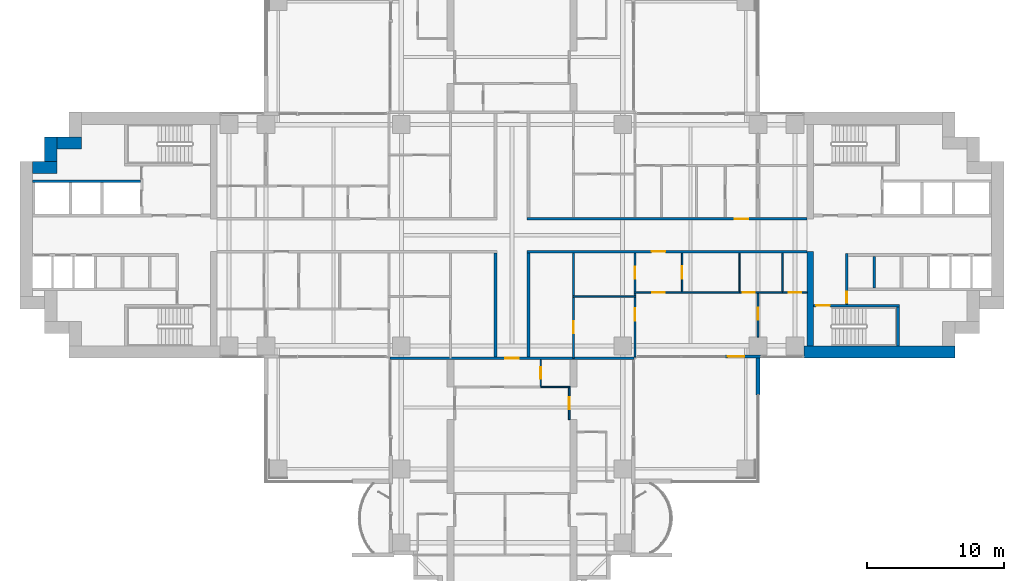
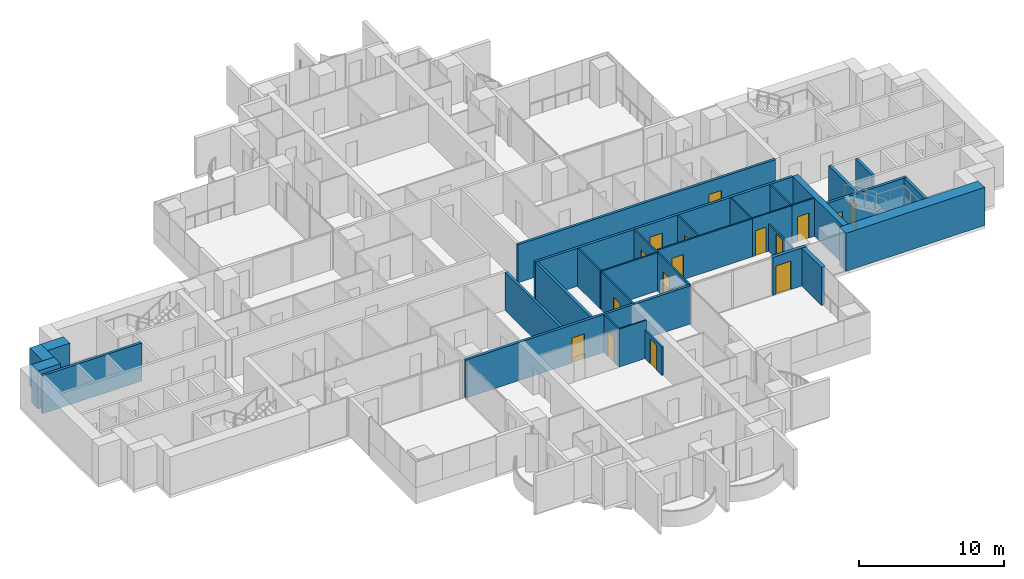
# One storey, part 12 of 21: 30 walls, 16 doors, 16 openings.
"""IFC4 building model written with IfcOpenShell, lengths in metres."""

from ifc_helpers import new_model, si_unit, direction, frame, frame_2d, origin, place, context, subcontext, project, spatial, rectangle, extrude, material, layer, layer_set, type_object, element, fill, save


model = new_model("IFC4")

# Units and contexts
model_context = context("Model", 3, precision=1e-05, world=origin(), true_north=direction((0.0, 1.0)))
body_context = subcontext(model_context, "Body", "Model", "MODEL_VIEW")
ifc_project = project(units=[si_unit("LENGTHUNIT", "METRE"), si_unit("AREAUNIT", "SQUARE_METRE"), si_unit("VOLUMEUNIT", "CUBIC_METRE"), si_unit("PLANEANGLEUNIT", "RADIAN"), si_unit("MASSUNIT", "GRAM", prefix="KILO")], contexts=[model_context])

# Site, building, storey
site_placement = place(None, origin())
site = spatial("IfcSite", under=ifc_project, at=site_placement, CompositionType="ELEMENT")
building_placement = place(site_placement, origin())
building = spatial("IfcBuilding", under=site, at=building_placement, Name="Perihelion Cross Residences", CompositionType="ELEMENT")
storey_placement = place(building_placement, frame((0.0, 0.0, 89.0)))
storey = spatial("IfcBuildingStorey", under=building, at=storey_placement, Name="L20", CompositionType="ELEMENT", Elevation=89.0)

# Wall, opening, door
ifc_material_1 = material(Name="Plasterboard partition")
ifc_layer_1 = layer(ifc_material_1, 0.199951171875)
ifc_layer_set_1 = layer_set([ifc_layer_1], Name="Apartment separation wall 200")
wall_type_1 = type_object("IfcWallType", Name="Apartment separation wall 200", PredefinedType="PARTITIONING", material=ifc_layer_set_1)
wall_1_placement = place(storey_placement, frame((1.10009765625, 1.199951171875, 0.0), z_axis=(0.0, 0.0, 1.0), x_axis=(1.0, 0.0, 0.0)))
wall_1 = element("IfcWall", 1, at=wall_1_placement, inside=storey, type_object=wall_type_1, Name="Partition L20 W001", PredefinedType="PARTITIONING", context=body_context, shape_type="SweptSolid", body=[
    extrude(rectangle(XDim=20.5, YDim=0.199951171875, at=frame_2d((10.25, 0.0))), origin(), (0.0, 0.0, 1.0), 3.199951171875),
])
opening_1_placement = place(wall_1_placement, frame((15.199951171875, 0.0, 0.0)))
opening_1 = element("IfcOpeningElement", 2, at=opening_1_placement, cuts=wall_1, Name="Opening L20.A53", PredefinedType="OPENING", context=body_context, shape_type="SweptSolid", body=[
    extrude(rectangle(XDim=1.0, YDim=2.10009765625, at=frame_2d((0.5, 1.050048828125))), frame((0.0, 0.10986328125, 0.0), z_axis=(0.0, -1.0, 0.0), x_axis=(1.0, 0.0, 0.0)), (0.0, 0.0, 1.0), 0.219970703125),
])
ifc_material_2 = material(Name="Timber door leaf", Category="wood")
door_type_1 = type_object("IfcDoorType", Name="Flat entrance door 1000 x 2100", OperationType="SINGLE_SWING_LEFT", PredefinedType="DOOR", material=ifc_material_2)
door_1_placement = place(opening_1_placement, origin())
door_1 = element("IfcDoor", 3, at=door_1_placement, inside=storey, type_object=door_type_1, Name="Door L20.A53", OperationType="SINGLE_SWING_LEFT", OverallHeight=2.10009765625, OverallWidth=1.0, PredefinedType="DOOR", context=body_context, shape_type="SweptSolid", body=[
    extrude(rectangle(XDim=1.0, YDim=2.10009765625, at=frame_2d((0.5, 1.050048828125))), frame((0.0, 0.02490234375, 0.0), z_axis=(0.0, -1.0, 0.0), x_axis=(1.0, 0.0, 0.0)), (0.0, 0.0, 1.0), 0.050048828125),
])
fill(opening_1, door_1)

wall_2_placement = place(storey_placement, frame((21.60009765625, -1.199951171875, 0.0), z_axis=(0.0, 0.0, 1.0), x_axis=(-1.0, 0.0, 0.0)))
wall_2 = element("IfcWall", 4, at=wall_2_placement, inside=storey, type_object=wall_type_1, Name="Partition L20 W003", PredefinedType="PARTITIONING", context=body_context, shape_type="SweptSolid", body=[
    extrude(rectangle(XDim=20.5, YDim=0.199951171875, at=frame_2d((10.25, 0.0))), origin(), (0.0, 0.0, 1.0), 3.199951171875),
])
opening_2_placement = place(wall_2_placement, frame((10.375, 0.0, 0.0)))
opening_2 = element("IfcOpeningElement", 5, at=opening_2_placement, cuts=wall_2, Name="Opening L20.A54", PredefinedType="OPENING", context=body_context, shape_type="SweptSolid", body=[
    extrude(rectangle(XDim=1.0, YDim=2.10009765625, at=frame_2d((0.5, 1.050048828125))), frame((0.0, 0.10986328125, 0.0), z_axis=(0.0, -1.0, 0.0), x_axis=(1.0, 0.0, 0.0)), (0.0, 0.0, 1.0), 0.219970703125),
])
door_2_placement = place(opening_2_placement, origin())
door_2 = element("IfcDoor", 6, at=door_2_placement, inside=storey, type_object=door_type_1, Name="Door L20.A54", OperationType="SINGLE_SWING_RIGHT", OverallHeight=2.10009765625, OverallWidth=1.0, PredefinedType="DOOR", context=body_context, shape_type="SweptSolid", body=[
    extrude(rectangle(XDim=1.0, YDim=2.10009765625, at=frame_2d((0.5, 1.050048828125))), frame((0.0, 0.02490234375, 0.0), z_axis=(0.0, -1.0, 0.0), x_axis=(1.0, 0.0, 0.0)), (0.0, 0.0, 1.0), 0.050048828125),
])
fill(opening_2, door_2)

# Walls
for number, where, z_axis, x_axis, name in (
    (7, (1.199951171875, -1.300048828125, 0.0), (0.0, 0.0, 1.0), (0.0, -1.0, 0.0), "Partition L20 W004"),
    (8, (-1.199951171875, -8.89990234375, 0.0), (0.0, 0.0, 1.0), (0.0, 1.0, 0.0), "Partition L20 W008"),
):
    element("IfcWall", number, at=place(storey_placement, frame(where, z_axis=z_axis, x_axis=x_axis)), inside=storey, type_object=wall_type_1, Name=name, PredefinedType="PARTITIONING", context=body_context, shape_type="SweptSolid", body=[
        extrude(rectangle(XDim=7.599853515625, YDim=0.199951171875, at=frame_2d((3.7998046875, 0.0))), origin(), (0.0, 0.0, 1.0), 3.199951171875),
    ])

# Wall, opening, door
wall_3_placement = place(storey_placement, frame((8.919921875, -9.0, 0.0), z_axis=(0.0, 0.0, 1.0), x_axis=(-1.0, 0.0, 0.0)))
wall_3 = element("IfcWall", 9, at=wall_3_placement, inside=storey, type_object=wall_type_1, Name="Partition L20 W010", PredefinedType="PARTITIONING", context=body_context, shape_type="SweptSolid", body=[
    extrude(rectangle(XDim=17.83984375, YDim=0.199951171875, at=frame_2d((8.919921875, 0.0))), origin(), (0.0, 0.0, 1.0), 3.199951171875),
])
opening_3_placement = place(wall_3_placement, frame((8.419921875, 0.0, 0.0)))
opening_3 = element("IfcOpeningElement", 10, at=opening_3_placement, cuts=wall_3, Name="Opening L20.A44", PredefinedType="OPENING", context=body_context, shape_type="SweptSolid", body=[
    extrude(rectangle(XDim=1.0, YDim=2.10009765625, at=frame_2d((0.5, 1.050048828125))), frame((0.0, 0.10986328125, 0.0), z_axis=(0.0, -1.0, 0.0), x_axis=(1.0, 0.0, 0.0)), (0.0, 0.0, 1.0), 0.219970703125),
])
door_3_placement = place(opening_3_placement, origin())
door_3 = element("IfcDoor", 11, at=door_3_placement, inside=storey, type_object=door_type_1, Name="Door L20.A44", OperationType="SINGLE_SWING_RIGHT", OverallHeight=2.10009765625, OverallWidth=1.0, PredefinedType="DOOR", context=body_context, shape_type="SweptSolid", body=[
    extrude(rectangle(XDim=1.0, YDim=2.10009765625, at=frame_2d((0.5, 1.050048828125))), frame((0.0, 0.02490234375, 0.0), z_axis=(0.0, -1.0, 0.0), x_axis=(1.0, 0.0, 0.0)), (0.0, 0.0, 1.0), 0.050048828125),
])
fill(opening_3, door_3)

ifc_material_3 = material(Name="Concrete C30/37, bronze-clad", Category="concrete")
ifc_layer_2 = layer(ifc_material_3, 0.25)
ifc_layer_set_2 = layer_set([ifc_layer_2], Name="Bronze-clad pier wall 250")
wall_type_2 = type_object("IfcWallType", Name="Bronze-clad pier wall 250", PredefinedType="SOLIDWALL", material=ifc_layer_set_2)
wall_4_placement = place(storey_placement, frame((15.550048828125, -8.875, 0.0), z_axis=(0.0, 0.0, 1.0), x_axis=(1.0, 0.0, 0.0)))
wall_4 = element("IfcWall", 12, at=wall_4_placement, inside=storey, type_object=wall_type_2, Name="Wall FW1 L20 east side south bay 1 pier", PredefinedType="SOLIDWALL", context=body_context, shape_type="SweptSolid", body=[
    extrude(rectangle(XDim=2.64990234375, YDim=0.25, at=frame_2d((1.324951171875, 0.0))), origin(), (0.0, 0.0, 1.0), 3.199951171875),
])
opening_4_placement = place(wall_4_placement, frame((0.25, 0.0, 0.0)))
opening_4 = element("IfcOpeningElement", 13, at=opening_4_placement, cuts=wall_4, Name="Opening L20.E16", PredefinedType="OPENING", context=body_context, shape_type="SweptSolid", body=[
    extrude(rectangle(XDim=1.199951171875, YDim=2.39990234375, at=frame_2d((0.60009765625, 1.199951171875))), frame((0.0, 0.135009765625, 0.0), z_axis=(0.0, -1.0, 0.0), x_axis=(1.0, 0.0, 0.0)), (0.0, 0.0, 1.0), 0.27001953125),
])
ifc_material_4 = material(Name="Bronze anodised aluminium, glazed", Category="aluminium")
door_type_2 = type_object("IfcDoorType", Name="Balcony door 1200 x 2400", OperationType="NOTDEFINED", PredefinedType="DOOR", material=ifc_material_4)
door_4_placement = place(opening_4_placement, origin())
door_4 = element("IfcDoor", 14, at=door_4_placement, inside=storey, type_object=door_type_2, Name="Door L20.E16 east side south bay 1", OperationType="SINGLE_SWING_LEFT", OverallHeight=2.39990234375, OverallWidth=1.199951171875, PredefinedType="DOOR", context=body_context, shape_type="SweptSolid", body=[
    extrude(rectangle(XDim=1.199951171875, YDim=2.39990234375, at=frame_2d((0.60009765625, 1.199951171875))), frame((0.0, 0.02490234375, 0.0), z_axis=(0.0, -1.0, 0.0), x_axis=(1.0, 0.0, 0.0)), (0.0, 0.0, 1.0), 0.050048828125),
])
fill(opening_4, door_4)

# Walls
ifc_material_5 = material(Name="Concrete C60/75", Category="concrete")
ifc_layer_3 = layer(ifc_material_5, 0.449951171875)
ifc_layer_set_3 = layer_set([ifc_layer_3], Name="Core wall, inner 450")
wall_type_3 = type_object("IfcWallType", Name="Core wall, inner 450", PredefinedType="SHEAR", material=ifc_layer_set_3)
wall_5_placement = place(storey_placement, frame((21.824951171875, -8.10009765625, 0.0), z_axis=(0.0, 0.0, 1.0), x_axis=(0.0, 1.0, 0.0)))
element("IfcWall", 15, at=wall_5_placement, inside=storey, type_object=wall_type_3, Name="East core core wall, inner", PredefinedType="SHEAR", context=body_context, shape_type="SweptSolid", body=[
    extrude(rectangle(XDim=6.900146484375, YDim=0.449951171875, at=frame_2d((3.4501953125, 0.0))), origin(), (0.0, 0.0, 1.0), 3.199951171875),
])
ifc_material_6 = material(Name="Concrete C60/75", Category="concrete")
ifc_layer_4 = layer(ifc_material_6, 0.89990234375)
ifc_layer_set_4 = layer_set([ifc_layer_4], Name="Core wall, outer 900")
wall_type_4 = type_object("IfcWallType", Name="Core wall, outer 900", PredefinedType="SHEAR", material=ifc_layer_set_4)
wall_6_placement = place(storey_placement, frame((21.35009765625, -8.550048828125, 0.0), z_axis=(0.0, 0.0, 1.0), x_axis=(1.0, 0.0, 0.0)))
element("IfcWall", 16, at=wall_6_placement, inside=storey, type_object=wall_type_4, Name="East core core wall, outer", PredefinedType="SHEAR", context=body_context, shape_type="SweptSolid", body=[
    extrude(rectangle(XDim=11.0498046875, YDim=0.89990234375, at=frame_2d((5.52490234375, 0.0))), origin(), (0.0, 0.0, 1.0), 3.199951171875),
])
for number, where, z_axis, x_axis, name in (
    (17, (-35.10009765625, 4.949951171875, 0.0), (0.0, 0.0, 1.0), (1.0, 0.0, 0.0), "West core core wall, outer"),
    (18, (-33.75, 5.39990234375, 0.0), (0.0, 0.0, 1.0), (0.0, 1.0, 0.0), "West core core wall, outer"),
    (19, (-33.300048828125, 6.75, 0.0), (0.0, 0.0, 1.0), (1.0, 0.0, 0.0), "West core core wall, outer"),
):
    element("IfcWall", number, at=place(storey_placement, frame(where, z_axis=z_axis, x_axis=x_axis)), inside=storey, type_object=wall_type_4, Name=name, PredefinedType="SHEAR", context=body_context, shape_type="SweptSolid", body=[
        extrude(rectangle(XDim=1.800048828125, YDim=0.89990234375, at=frame_2d((0.89990234375, 0.0))), origin(), (0.0, 0.0, 1.0), 3.199951171875),
    ])

# Wall, opening, door
ifc_material_7 = material(Name="Plasterboard partition")
ifc_layer_5 = layer(ifc_material_7, 0.1201171875)
ifc_layer_set_5 = layer_set([ifc_layer_5], Name="Infill panel 120")
wall_type_5 = type_object("IfcWallType", Name="Infill panel 120", PredefinedType="PARTITIONING", material=ifc_layer_set_5)
wall_7_placement = place(storey_placement, frame((4.18994140625, -11.10009765625, 0.0), z_axis=(0.0, 0.0, 1.0), x_axis=(0.0, -1.0, 0.0)))
wall_7 = element("IfcWall", 20, at=wall_7_placement, inside=storey, type_object=wall_type_5, Name="Partition L20 WI05", PredefinedType="PARTITIONING", context=body_context, shape_type="SweptSolid", body=[
    extrude(rectangle(XDim=2.39990234375, YDim=0.1201171875, at=frame_2d((1.199951171875, 0.0))), origin(), (0.0, 0.0, 1.0), 2.39990234375),
])
opening_5_placement = place(wall_7_placement, frame((0.75, 0.0, 0.0)))
opening_5 = element("IfcOpeningElement", 21, at=opening_5_placement, cuts=wall_7, Name="Opening L20.A61", PredefinedType="OPENING", context=body_context, shape_type="SweptSolid", body=[
    extrude(rectangle(XDim=0.89990234375, YDim=2.10009765625, at=frame_2d((0.449951171875, 1.050048828125))), frame((0.0, 0.070068359375, 0.0), z_axis=(0.0, -1.0, 0.0), x_axis=(1.0, 0.0, 0.0)), (0.0, 0.0, 1.0), 0.14013671875),
])
ifc_material_8 = material(Name="Timber door leaf", Category="wood")
door_type_3 = type_object("IfcDoorType", Name="Interior room door 900 x 2100", OperationType="SINGLE_SWING_LEFT", PredefinedType="DOOR", material=ifc_material_8)
door_5_placement = place(opening_5_placement, origin())
door_5 = element("IfcDoor", 22, at=door_5_placement, inside=storey, type_object=door_type_3, Name="Door L20.A61", OperationType="SINGLE_SWING_RIGHT", OverallHeight=2.10009765625, OverallWidth=0.89990234375, PredefinedType="DOOR", context=body_context, shape_type="SweptSolid", body=[
    extrude(rectangle(XDim=0.89990234375, YDim=2.10009765625, at=frame_2d((0.449951171875, 1.050048828125))), frame((0.0, 0.02490234375, 0.0), z_axis=(0.0, -1.0, 0.0), x_axis=(1.0, 0.0, 0.0)), (0.0, 0.0, 1.0), 0.050048828125),
])
fill(opening_5, door_5)

ifc_material_9 = material(Name="Concrete C50/60", Category="concrete")
ifc_layer_6 = layer(ifc_material_9, 0.199951171875)
ifc_layer_set_6 = layer_set([ifc_layer_6], Name="Lobby wall 200")
wall_type_6 = type_object("IfcWallType", Name="Lobby wall 200", PredefinedType="SOLIDWALL", material=ifc_layer_set_6)
wall_8_placement = place(storey_placement, frame((24.5, -5.050048828125, 0.0), z_axis=(0.0, 0.0, 1.0), x_axis=(0.0, 1.0, 0.0)))
wall_8 = element("IfcWall", 23, at=wall_8_placement, inside=storey, type_object=wall_type_6, Name="East core lobby wall", PredefinedType="SOLIDWALL", context=body_context, shape_type="SweptSolid", body=[
    extrude(rectangle(XDim=3.699951171875, YDim=0.199951171875, at=frame_2d((1.85009765625, 0.0))), origin(), (0.0, 0.0, 1.0), 3.199951171875),
])
opening_6_placement = place(wall_8_placement, frame((0.10009765625, 0.0, 0.0)))
opening_6 = element("IfcOpeningElement", 24, at=opening_6_placement, cuts=wall_8, Name="Opening L20.C08", PredefinedType="OPENING", context=body_context, shape_type="SweptSolid", body=[
    extrude(rectangle(XDim=0.800048828125, YDim=2.10009765625, at=frame_2d((0.39990234375, 1.050048828125))), frame((0.0, 0.10986328125, 0.0), z_axis=(0.0, -1.0, 0.0), x_axis=(1.0, 0.0, 0.0)), (0.0, 0.0, 1.0), 0.219970703125),
])
ifc_material_10 = material(Name="Steel, powder coated", Category="steel")
door_type_4 = type_object("IfcDoorType", Name="Riser door 800", OperationType="SINGLE_SWING_LEFT", PredefinedType="DOOR", material=ifc_material_10)
door_6_placement = place(opening_6_placement, origin())
door_6 = element("IfcDoor", 25, at=door_6_placement, inside=storey, type_object=door_type_4, Name="East core riser door", OperationType="SINGLE_SWING_LEFT", OverallHeight=2.10009765625, OverallWidth=0.800048828125, PredefinedType="DOOR", context=body_context, shape_type="SweptSolid", body=[
    extrude(rectangle(XDim=0.800048828125, YDim=2.10009765625, at=frame_2d((0.39990234375, 1.050048828125))), frame((0.0, 0.02490234375, 0.0), z_axis=(0.0, -1.0, 0.0), x_axis=(1.0, 0.0, 0.0)), (0.0, 0.0, 1.0), 0.050048828125),
])
fill(opening_6, door_6)

ifc_material_11 = material(Name="Plasterboard partition")
ifc_layer_7 = layer(ifc_material_11, 0.1201171875)
ifc_layer_set_7 = layer_set([ifc_layer_7], Name="Partition wall 120")
wall_type_7 = type_object("IfcWallType", Name="Partition wall 120", PredefinedType="PARTITIONING", material=ifc_layer_set_7)
wall_9_placement = place(storey_placement, frame((12.449951171875, -1.300048828125, 0.0), z_axis=(0.0, 0.0, 1.0), x_axis=(0.0, -1.0, 0.0)))
wall_9 = element("IfcWall", 26, at=wall_9_placement, inside=storey, type_object=wall_type_7, Name="Partition L20 W021", PredefinedType="PARTITIONING", context=body_context, shape_type="SweptSolid", body=[
    extrude(rectangle(XDim=2.83984375, YDim=0.1201171875, at=frame_2d((1.419921875, 0.0))), origin(), (0.0, 0.0, 1.0), 3.199951171875),
])
opening_7_placement = place(wall_9_placement, frame((0.969970703125, 0.0, 0.0)))
opening_7 = element("IfcOpeningElement", 27, at=opening_7_placement, cuts=wall_9, Name="Opening L20.A12", PredefinedType="OPENING", context=body_context, shape_type="SweptSolid", body=[
    extrude(rectangle(XDim=0.89990234375, YDim=2.10009765625, at=frame_2d((0.449951171875, 1.050048828125))), frame((0.0, 0.070068359375, 0.0), z_axis=(0.0, -1.0, 0.0), x_axis=(1.0, 0.0, 0.0)), (0.0, 0.0, 1.0), 0.14013671875),
])
door_7_placement = place(opening_7_placement, origin())
door_7 = element("IfcDoor", 28, at=door_7_placement, inside=storey, type_object=door_type_3, Name="Door L20.A12", OperationType="SINGLE_SWING_RIGHT", OverallHeight=2.10009765625, OverallWidth=0.89990234375, PredefinedType="DOOR", context=body_context, shape_type="SweptSolid", body=[
    extrude(rectangle(XDim=0.89990234375, YDim=2.10009765625, at=frame_2d((0.449951171875, 1.050048828125))), frame((0.0, 0.02490234375, 0.0), z_axis=(0.0, -1.0, 0.0), x_axis=(1.0, 0.0, 0.0)), (0.0, 0.0, 1.0), 0.050048828125),
])
fill(opening_7, door_7)

wall_10_placement = place(storey_placement, frame((16.64990234375, -4.199951171875, 0.0), z_axis=(0.0, 0.0, 1.0), x_axis=(-1.0, 0.0, 0.0)))
wall_10 = element("IfcWall", 29, at=wall_10_placement, inside=storey, type_object=wall_type_7, Name="Partition L20 W022", PredefinedType="PARTITIONING", context=body_context, shape_type="SweptSolid", body=[
    extrude(rectangle(XDim=7.7099609375, YDim=0.1201171875, at=frame_2d((3.85498046875, 0.0))), origin(), (0.0, 0.0, 1.0), 3.199951171875),
])
opening_8_placement = place(wall_10_placement, frame((5.47509765625, 0.0, 0.0)))
opening_8 = element("IfcOpeningElement", 30, at=opening_8_placement, cuts=wall_10, Name="Opening L20.A15", PredefinedType="OPENING", context=body_context, shape_type="SweptSolid", body=[
    extrude(rectangle(XDim=0.89990234375, YDim=2.10009765625, at=frame_2d((0.449951171875, 1.050048828125))), frame((0.0, 0.070068359375, 0.0), z_axis=(0.0, -1.0, 0.0), x_axis=(1.0, 0.0, 0.0)), (0.0, 0.0, 1.0), 0.14013671875),
])
door_8_placement = place(opening_8_placement, origin())
door_8 = element("IfcDoor", 31, at=door_8_placement, inside=storey, type_object=door_type_3, Name="Door L20.A15", OperationType="SINGLE_SWING_LEFT", OverallHeight=2.10009765625, OverallWidth=0.89990234375, PredefinedType="DOOR", context=body_context, shape_type="SweptSolid", body=[
    extrude(rectangle(XDim=0.89990234375, YDim=2.10009765625, at=frame_2d((0.449951171875, 1.050048828125))), frame((0.0, 0.02490234375, 0.0), z_axis=(0.0, -1.0, 0.0), x_axis=(1.0, 0.0, 0.0)), (0.0, 0.0, 1.0), 0.050048828125),
])
fill(opening_8, door_8)

# Wall, openings, doors
wall_11_placement = place(storey_placement, frame((9.0, -8.919921875, 0.0), z_axis=(0.0, 0.0, 1.0), x_axis=(0.0, 1.0, 0.0)))
wall_11 = element("IfcWall", 32, at=wall_11_placement, inside=storey, type_object=wall_type_7, Name="Partition L20 W023", PredefinedType="PARTITIONING", context=body_context, shape_type="SweptSolid", body=[
    extrude(rectangle(XDim=7.619873046875, YDim=0.1201171875, at=frame_2d((3.81005859375, 0.0))), origin(), (0.0, 0.0, 1.0), 3.199951171875),
])
opening_9_placement = place(wall_11_placement, frame((5.719970703125, 0.0, 0.0)))
opening_9 = element("IfcOpeningElement", 33, at=opening_9_placement, cuts=wall_11, Name="Opening L20.A13", PredefinedType="OPENING", context=body_context, shape_type="SweptSolid", body=[
    extrude(rectangle(XDim=0.89990234375, YDim=2.10009765625, at=frame_2d((0.449951171875, 1.050048828125))), frame((0.0, 0.070068359375, 0.0), z_axis=(0.0, -1.0, 0.0), x_axis=(1.0, 0.0, 0.0)), (0.0, 0.0, 1.0), 0.14013671875),
])
opening_10_placement = place(wall_11_placement, frame((2.681884765625, 0.0, 0.0)))
opening_10 = element("IfcOpeningElement", 34, at=opening_10_placement, cuts=wall_11, Name="Opening L20.A16", PredefinedType="OPENING", context=body_context, shape_type="SweptSolid", body=[
    extrude(rectangle(XDim=0.89990234375, YDim=2.10009765625, at=frame_2d((0.449951171875, 1.050048828125))), frame((0.0, 0.070068359375, 0.0), z_axis=(0.0, -1.0, 0.0), x_axis=(1.0, 0.0, 0.0)), (0.0, 0.0, 1.0), 0.14013671875),
])
door_9_placement = place(opening_9_placement, origin())
door_9 = element("IfcDoor", 35, at=door_9_placement, inside=storey, type_object=door_type_3, Name="Door L20.A13", OperationType="SINGLE_SWING_LEFT", OverallHeight=2.10009765625, OverallWidth=0.89990234375, PredefinedType="DOOR", context=body_context, shape_type="SweptSolid", body=[
    extrude(rectangle(XDim=0.89990234375, YDim=2.10009765625, at=frame_2d((0.449951171875, 1.050048828125))), frame((0.0, 0.02490234375, 0.0), z_axis=(0.0, -1.0, 0.0), x_axis=(1.0, 0.0, 0.0)), (0.0, 0.0, 1.0), 0.050048828125),
])
fill(opening_9, door_9)
door_10_placement = place(opening_10_placement, origin())
door_10 = element("IfcDoor", 36, at=door_10_placement, inside=storey, type_object=door_type_3, Name="Door L20.A16", OperationType="SINGLE_SWING_RIGHT", OverallHeight=2.10009765625, OverallWidth=0.89990234375, PredefinedType="DOOR", context=body_context, shape_type="SweptSolid", body=[
    extrude(rectangle(XDim=0.89990234375, YDim=2.10009765625, at=frame_2d((0.449951171875, 1.050048828125))), frame((0.0, 0.02490234375, 0.0), z_axis=(0.0, -1.0, 0.0), x_axis=(1.0, 0.0, 0.0)), (0.0, 0.0, 1.0), 0.050048828125),
])
fill(opening_10, door_10)

# Wall, opening, door
wall_12_placement = place(storey_placement, frame((21.60009765625, -4.199951171875, 0.0), z_axis=(0.0, 0.0, 1.0), x_axis=(-1.0, 0.0, 0.0)))
wall_12 = element("IfcWall", 37, at=wall_12_placement, inside=storey, type_object=wall_type_7, Name="Partition L20 W027", PredefinedType="PARTITIONING", context=body_context, shape_type="SweptSolid", body=[
    extrude(rectangle(XDim=1.800048828125, YDim=0.1201171875, at=frame_2d((0.89990234375, 0.0))), origin(), (0.0, 0.0, 1.0), 3.199951171875),
])
opening_11_placement = place(wall_12_placement, frame((0.449951171875, 0.0, 0.0)))
opening_11 = element("IfcOpeningElement", 38, at=opening_11_placement, cuts=wall_12, Name="Opening L20.A17", PredefinedType="OPENING", context=body_context, shape_type="SweptSolid", body=[
    extrude(rectangle(XDim=0.89990234375, YDim=2.10009765625, at=frame_2d((0.449951171875, 1.050048828125))), frame((0.0, 0.070068359375, 0.0), z_axis=(0.0, -1.0, 0.0), x_axis=(1.0, 0.0, 0.0)), (0.0, 0.0, 1.0), 0.14013671875),
])
door_11_placement = place(opening_11_placement, origin())
door_11 = element("IfcDoor", 39, at=door_11_placement, inside=storey, type_object=door_type_3, Name="Door L20.A17", OperationType="SINGLE_SWING_LEFT", OverallHeight=2.10009765625, OverallWidth=0.89990234375, PredefinedType="DOOR", context=body_context, shape_type="SweptSolid", body=[
    extrude(rectangle(XDim=0.89990234375, YDim=2.10009765625, at=frame_2d((0.449951171875, 1.050048828125))), frame((0.0, 0.02490234375, 0.0), z_axis=(0.0, -1.0, 0.0), x_axis=(1.0, 0.0, 0.0)), (0.0, 0.0, 1.0), 0.050048828125),
])
fill(opening_11, door_11)

wall_13_placement = place(storey_placement, frame((18.0, -4.25, 0.0), z_axis=(0.0, 0.0, 1.0), x_axis=(0.0, -1.0, 0.0)))
wall_13 = element("IfcWall", 40, at=wall_13_placement, inside=storey, type_object=wall_type_7, Name="Partition L20 W028", PredefinedType="PARTITIONING", context=body_context, shape_type="SweptSolid", body=[
    extrude(rectangle(XDim=3.199951171875, YDim=0.1201171875, at=frame_2d((1.60009765625, 0.0))), origin(), (0.0, 0.0, 1.0), 2.2958984375),
])
opening_12_placement = place(wall_13_placement, frame((1.050048828125, 0.0, 0.0)))
opening_12 = element("IfcOpeningElement", 41, at=opening_12_placement, cuts=wall_13, Name="Opening L20.A11", PredefinedType="OPENING", context=body_context, shape_type="SweptSolid", body=[
    extrude(rectangle(XDim=0.89990234375, YDim=2.10009765625, at=frame_2d((0.449951171875, 1.050048828125))), frame((0.0, 0.070068359375, 0.0), z_axis=(0.0, -1.0, 0.0), x_axis=(1.0, 0.0, 0.0)), (0.0, 0.0, 1.0), 0.14013671875),
])
door_12_placement = place(opening_12_placement, origin())
door_12 = element("IfcDoor", 42, at=door_12_placement, inside=storey, type_object=door_type_3, Name="Door L20.A11", OperationType="SINGLE_SWING_RIGHT", OverallHeight=2.10009765625, OverallWidth=0.89990234375, PredefinedType="DOOR", context=body_context, shape_type="SweptSolid", body=[
    extrude(rectangle(XDim=0.89990234375, YDim=2.10009765625, at=frame_2d((0.449951171875, 1.050048828125))), frame((0.0, 0.02490234375, 0.0), z_axis=(0.0, -1.0, 0.0), x_axis=(1.0, 0.0, 0.0)), (0.0, 0.0, 1.0), 0.050048828125),
])
fill(opening_12, door_12)

# Wall
wall_14_placement = place(storey_placement, frame((9.06005859375, -4.47607421875, 0.0), z_axis=(0.0, 0.0, 1.0), x_axis=(-1.0, 0.0, 0.0)))
element("IfcWall", 43, at=wall_14_placement, inside=storey, type_object=wall_type_7, Name="Partition L20 W029", PredefinedType="PARTITIONING", context=body_context, shape_type="SweptSolid", body=[
    extrude(rectangle(XDim=4.6201171875, YDim=0.1201171875, at=frame_2d((2.31005859375, 0.0))), origin(), (0.0, 0.0, 1.0), 3.199951171875),
])

# Wall, opening, door
wall_15_placement = place(storey_placement, frame((4.5, -9.0, 0.0), z_axis=(0.0, 0.0, 1.0), x_axis=(0.0, 1.0, 0.0)))
wall_15 = element("IfcWall", 44, at=wall_15_placement, inside=storey, type_object=wall_type_7, Name="Partition L20 W030", PredefinedType="PARTITIONING", context=body_context, shape_type="SweptSolid", body=[
    extrude(rectangle(XDim=7.699951171875, YDim=0.1201171875, at=frame_2d((3.85009765625, 0.0))), origin(), (0.0, 0.0, 1.0), 3.199951171875),
])
opening_13_placement = place(wall_15_placement, frame((1.81201171875, 0.0, 0.0)))
opening_13 = element("IfcOpeningElement", 45, at=opening_13_placement, cuts=wall_15, Name="Opening L20.A14", PredefinedType="OPENING", context=body_context, shape_type="SweptSolid", body=[
    extrude(rectangle(XDim=0.89990234375, YDim=2.10009765625, at=frame_2d((0.449951171875, 1.050048828125))), frame((0.0, 0.070068359375, 0.0), z_axis=(0.0, -1.0, 0.0), x_axis=(1.0, 0.0, 0.0)), (0.0, 0.0, 1.0), 0.14013671875),
])
door_13_placement = place(opening_13_placement, origin())
door_13 = element("IfcDoor", 46, at=door_13_placement, inside=storey, type_object=door_type_3, Name="Door L20.A14", OperationType="SINGLE_SWING_LEFT", OverallHeight=2.10009765625, OverallWidth=0.89990234375, PredefinedType="DOOR", context=body_context, shape_type="SweptSolid", body=[
    extrude(rectangle(XDim=0.89990234375, YDim=2.10009765625, at=frame_2d((0.449951171875, 1.050048828125))), frame((0.0, 0.02490234375, 0.0), z_axis=(0.0, -1.0, 0.0), x_axis=(1.0, 0.0, 0.0)), (0.0, 0.0, 1.0), 0.050048828125),
])
fill(opening_13, door_13)

# Walls
ifc_material_12 = material(Name="Precast concrete C50/60", Category="concrete")
ifc_layer_8 = layer(ifc_material_12, 0.300048828125)
ifc_layer_set_8 = layer_set([ifc_layer_8], Name="Precast concrete C50/60 blade wall 300")
wall_type_8 = type_object("IfcWallType", Name="Precast concrete C50/60 blade wall 300", PredefinedType="SOLIDWALL", material=ifc_layer_set_8)
wall_16_placement = place(storey_placement, frame((18.0, -8.75, 0.0), z_axis=(0.0, 0.0, 1.0), x_axis=(0.0, -1.0, 0.0)))
element("IfcWall", 47, at=wall_16_placement, inside=storey, type_object=wall_type_8, Name="Wall BL1 L20 no. 11", PredefinedType="SOLIDWALL", context=body_context, shape_type="SweptSolid", body=[
    extrude(rectangle(XDim=2.949951171875, YDim=0.300048828125, at=frame_2d((1.47509765625, 0.0))), origin(), (0.0, 0.0, 1.0), 3.199951171875),
])
ifc_material_13 = material(Name="Concrete C50/60", Category="concrete")
ifc_layer_9 = layer(ifc_material_13, 0.199951171875)
ifc_layer_set_9 = layer_set([ifc_layer_9], Name="Shaft wall 200")
wall_type_9 = type_object("IfcWallType", Name="Shaft wall 200", PredefinedType="SOLIDWALL", material=ifc_layer_set_9)
wall_17_placement = place(storey_placement, frame((26.5, -3.85009765625, 0.0), z_axis=(0.0, 0.0, 1.0), x_axis=(0.0, 1.0, 0.0)))
element("IfcWall", 48, at=wall_17_placement, inside=storey, type_object=wall_type_9, Name="East core shaft wall", PredefinedType="SOLIDWALL", context=body_context, shape_type="SweptSolid", body=[
    extrude(rectangle(XDim=2.300048828125, YDim=0.199951171875, at=frame_2d((1.14990234375, 0.0))), origin(), (0.0, 0.0, 1.0), 3.199951171875),
])
wall_18_placement = place(storey_placement, frame((-35.10009765625, 3.949951171875, 0.0), z_axis=(0.0, 0.0, 1.0), x_axis=(1.0, 0.0, 0.0)))
element("IfcWall", 49, at=wall_18_placement, inside=storey, type_object=wall_type_9, Name="West core shaft wall", PredefinedType="SOLIDWALL", context=body_context, shape_type="SweptSolid", body=[
    extrude(rectangle(XDim=7.900146484375, YDim=0.199951171875, at=frame_2d((3.9501953125, 0.0))), origin(), (0.0, 0.0, 1.0), 3.199951171875),
])

# Wall, opening, door
ifc_material_14 = material(Name="Concrete C50/60", Category="concrete")
ifc_layer_10 = layer(ifc_material_14, 0.199951171875)
ifc_layer_set_10 = layer_set([ifc_layer_10], Name="Stair wall 200")
wall_type_10 = type_object("IfcWallType", Name="Stair wall 200", PredefinedType="SOLIDWALL", material=ifc_layer_set_10)
wall_19_placement = place(storey_placement, frame((22.050048828125, -5.14990234375, 0.0), z_axis=(0.0, 0.0, 1.0), x_axis=(1.0, 0.0, 0.0)))
wall_19 = element("IfcWall", 50, at=wall_19_placement, inside=storey, type_object=wall_type_10, Name="East core stair wall", PredefinedType="SOLIDWALL", context=body_context, shape_type="SweptSolid", body=[
    extrude(rectangle(XDim=6.300048828125, YDim=0.199951171875, at=frame_2d((3.14990234375, 0.0))), origin(), (0.0, 0.0, 1.0), 3.199951171875),
])
opening_14_placement = place(wall_19_placement, frame((0.199951171875, 0.0, 0.0)))
opening_14 = element("IfcOpeningElement", 51, at=opening_14_placement, cuts=wall_19, Name="Opening L20.C05", PredefinedType="OPENING", context=body_context, shape_type="SweptSolid", body=[
    extrude(rectangle(XDim=1.0, YDim=2.10009765625, at=frame_2d((0.5, 1.050048828125))), frame((0.0, 0.10986328125, 0.0), z_axis=(0.0, -1.0, 0.0), x_axis=(1.0, 0.0, 0.0)), (0.0, 0.0, 1.0), 0.219970703125),
])
ifc_material_15 = material(Name="Steel, powder coated", Category="steel")
door_type_5 = type_object("IfcDoorType", Name="Stair door 1000", OperationType="SINGLE_SWING_LEFT", PredefinedType="DOOR", material=ifc_material_15)
door_14_placement = place(opening_14_placement, origin())
door_14 = element("IfcDoor", 52, at=door_14_placement, inside=storey, type_object=door_type_5, Name="East core stair door", OperationType="SINGLE_SWING_LEFT", OverallHeight=2.10009765625, OverallWidth=1.0, PredefinedType="DOOR", context=body_context, shape_type="SweptSolid", body=[
    extrude(rectangle(XDim=1.0, YDim=2.10009765625, at=frame_2d((0.5, 1.050048828125))), frame((0.0, 0.02490234375, 0.0), z_axis=(0.0, -1.0, 0.0), x_axis=(1.0, 0.0, 0.0)), (0.0, 0.0, 1.0), 0.050048828125),
])
fill(opening_14, door_14)

# Walls
wall_20_placement = place(storey_placement, frame((28.25, -8.10009765625, 0.0), z_axis=(0.0, 0.0, 1.0), x_axis=(0.0, 1.0, 0.0)))
element("IfcWall", 53, at=wall_20_placement, inside=storey, type_object=wall_type_10, Name="East core stair wall", PredefinedType="SOLIDWALL", context=body_context, shape_type="SweptSolid", body=[
    extrude(rectangle(XDim=2.85009765625, YDim=0.199951171875, at=frame_2d((1.425048828125, 0.0))), origin(), (0.0, 0.0, 1.0), 3.199951171875),
])
ifc_material_16 = material(Name="Plasterboard partition")
ifc_layer_11 = layer(ifc_material_16, 0.10009765625)
ifc_layer_set_11 = layer_set([ifc_layer_11], Name="Wet room wall 100")
wall_type_11 = type_object("IfcWallType", Name="Wet room wall 100", PredefinedType="PARTITIONING", material=ifc_layer_set_11)
for number, where, z_axis, x_axis, name in (
    (54, (16.64990234375, -1.300048828125, 0.0), (0.0, 0.0, 1.0), (0.0, -1.0, 0.0), "Partition L20 W024"),
    (55, (19.800048828125, -1.300048828125, 0.0), (0.0, 0.0, 1.0), (0.0, -1.0, 0.0), "Partition L20 W025"),
):
    element("IfcWall", number, at=place(storey_placement, frame(where, z_axis=z_axis, x_axis=x_axis)), inside=storey, type_object=wall_type_11, Name=name, PredefinedType="PARTITIONING", context=body_context, shape_type="SweptSolid", body=[
        extrude(rectangle(XDim=2.83984375, YDim=0.10009765625, at=frame_2d((1.419921875, 0.0))), origin(), (0.0, 0.0, 1.0), 3.199951171875),
    ])

# Wall, opening, door
wall_21_placement = place(storey_placement, frame((19.800048828125, -4.199951171875, 0.0), z_axis=(0.0, 0.0, 1.0), x_axis=(-1.0, 0.0, 0.0)))
wall_21 = element("IfcWall", 56, at=wall_21_placement, inside=storey, type_object=wall_type_11, Name="Partition L20 W026", PredefinedType="PARTITIONING", context=body_context, shape_type="SweptSolid", body=[
    extrude(rectangle(XDim=3.150146484375, YDim=0.10009765625, at=frame_2d((1.5751953125, 0.0))), origin(), (0.0, 0.0, 1.0), 3.199951171875),
])
opening_15_placement = place(wall_21_placement, frame((2.050048828125, 0.0, 0.0)))
opening_15 = element("IfcOpeningElement", 57, at=opening_15_placement, cuts=wall_21, Name="Opening L20.A10", PredefinedType="OPENING", context=body_context, shape_type="SweptSolid", body=[
    extrude(rectangle(XDim=0.85009765625, YDim=2.10009765625, at=frame_2d((0.425048828125, 1.050048828125))), frame((0.0, 0.06005859375, 0.0), z_axis=(0.0, -1.0, 0.0), x_axis=(1.0, 0.0, 0.0)), (0.0, 0.0, 1.0), 0.1201171875),
])
ifc_material_17 = material(Name="Timber door leaf", Category="wood")
door_type_6 = type_object("IfcDoorType", Name="Interior bathroom door 850 x 2100", OperationType="SINGLE_SWING_LEFT", PredefinedType="DOOR", material=ifc_material_17)
door_15_placement = place(opening_15_placement, origin())
door_15 = element("IfcDoor", 58, at=door_15_placement, inside=storey, type_object=door_type_6, Name="Door L20.A10", OperationType="SINGLE_SWING_LEFT", OverallHeight=2.10009765625, OverallWidth=0.85009765625, PredefinedType="DOOR", context=body_context, shape_type="SweptSolid", body=[
    extrude(rectangle(XDim=0.85009765625, YDim=2.10009765625, at=frame_2d((0.425048828125, 1.050048828125))), frame((0.0, 0.02490234375, 0.0), z_axis=(0.0, -1.0, 0.0), x_axis=(1.0, 0.0, 0.0)), (0.0, 0.0, 1.0), 0.050048828125),
])
fill(opening_15, door_15)

wall_22_placement = place(storey_placement, frame((2.10009765625, -9.10009765625, 0.0), z_axis=(0.0, 0.0, 1.0), x_axis=(0.0, -1.0, 0.0)))
wall_22 = element("IfcWall", 59, at=wall_22_placement, inside=storey, type_object=wall_type_11, Name="Partition L20 W069", PredefinedType="PARTITIONING", context=body_context, shape_type="SweptSolid", body=[
    extrude(rectangle(XDim=1.93994140625, YDim=0.10009765625, at=frame_2d((0.969970703125, 0.0))), origin(), (0.0, 0.0, 1.0), 3.199951171875),
])
opening_16_placement = place(wall_22_placement, frame((0.544921875, 0.0, 0.0)))
opening_16 = element("IfcOpeningElement", 60, at=opening_16_placement, cuts=wall_22, Name="Opening L20.A45", PredefinedType="OPENING", context=body_context, shape_type="SweptSolid", body=[
    extrude(rectangle(XDim=0.85009765625, YDim=2.10009765625, at=frame_2d((0.425048828125, 1.050048828125))), frame((0.0, 0.06005859375, 0.0), z_axis=(0.0, -1.0, 0.0), x_axis=(1.0, 0.0, 0.0)), (0.0, 0.0, 1.0), 0.1201171875),
])
door_16_placement = place(opening_16_placement, origin())
door_16 = element("IfcDoor", 61, at=door_16_placement, inside=storey, type_object=door_type_6, Name="Door L20.A45", OperationType="SINGLE_SWING_LEFT", OverallHeight=2.10009765625, OverallWidth=0.85009765625, PredefinedType="DOOR", context=body_context, shape_type="SweptSolid", body=[
    extrude(rectangle(XDim=0.85009765625, YDim=2.10009765625, at=frame_2d((0.425048828125, 1.050048828125))), frame((0.0, 0.02490234375, 0.0), z_axis=(0.0, -1.0, 0.0), x_axis=(1.0, 0.0, 0.0)), (0.0, 0.0, 1.0), 0.050048828125),
])
fill(opening_16, door_16)

# Wall
wall_23_placement = place(storey_placement, frame((4.25, -11.10009765625, 0.0), z_axis=(0.0, 0.0, 1.0), x_axis=(-1.0, 0.0, 0.0)))
element("IfcWall", 62, at=wall_23_placement, inside=storey, type_object=wall_type_11, Name="Partition L20 W071", PredefinedType="PARTITIONING", context=body_context, shape_type="SweptSolid", body=[
    extrude(rectangle(XDim=2.14990234375, YDim=0.10009765625, at=frame_2d((1.074951171875, 0.0))), origin(), (0.0, 0.0, 1.0), 3.199951171875),
])

save(model, "model.ifc")
